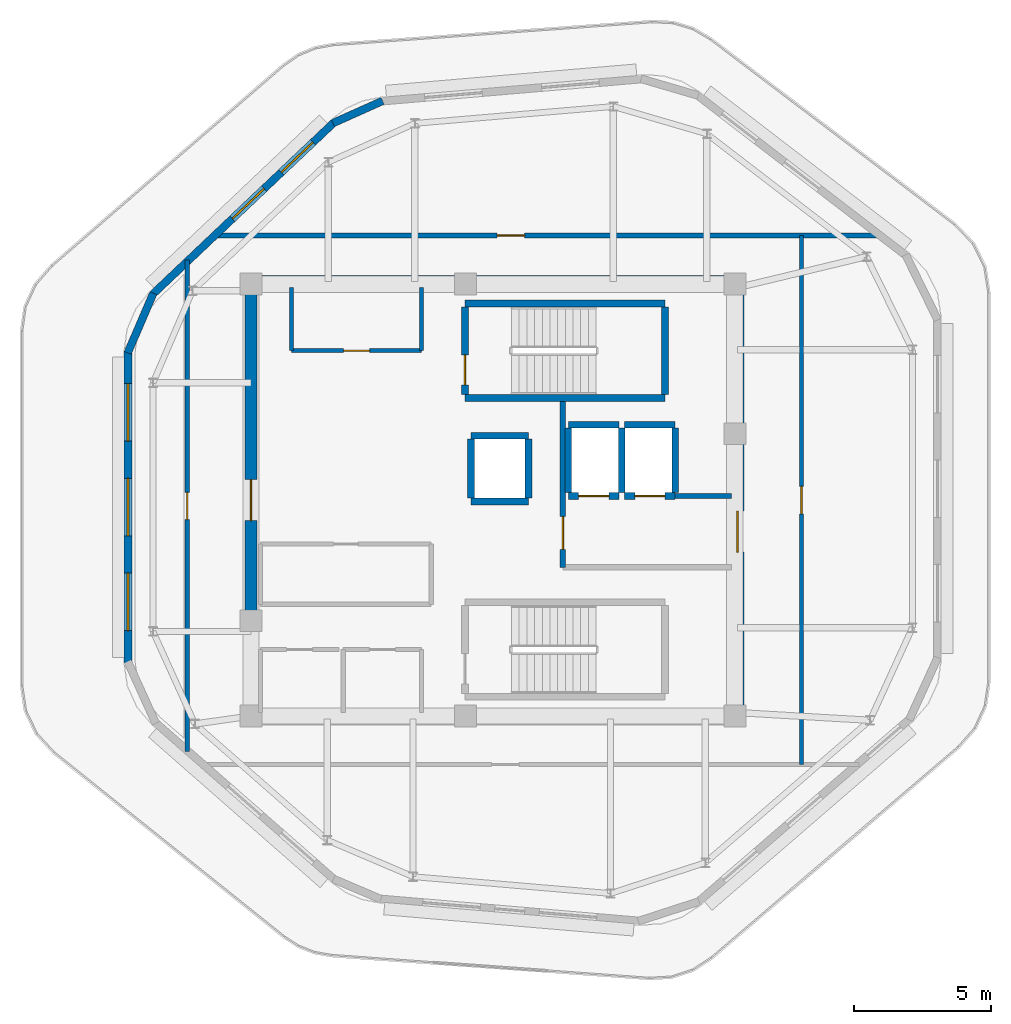
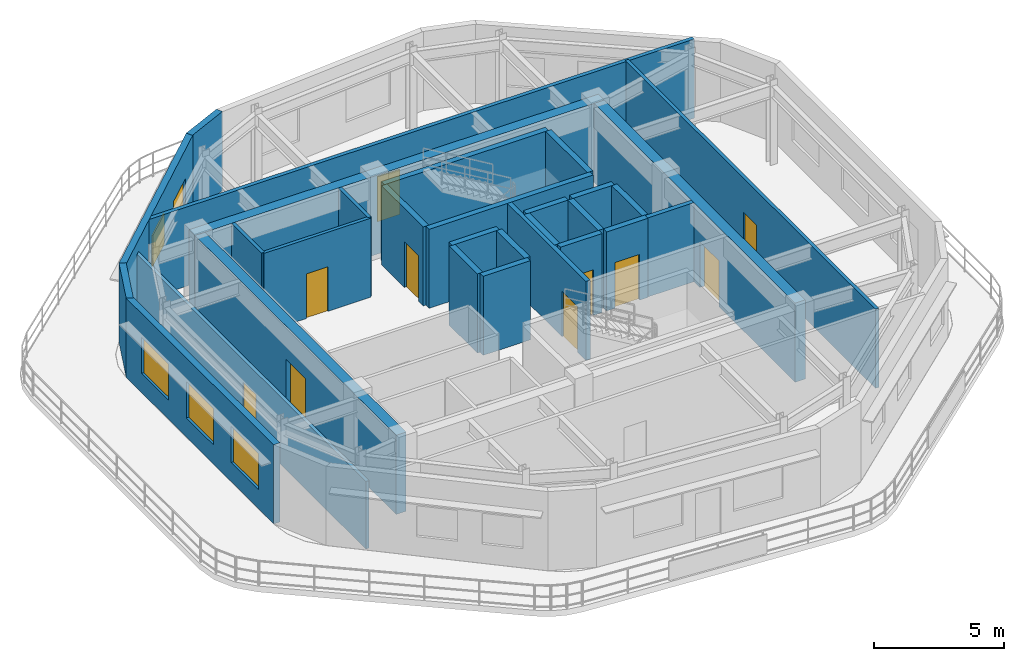
# One storey, part 3 of 7: 30 walls, 10 doors, 5 windows, 15 openings.
"""IFC4 building model written with IfcOpenShell, lengths in metres."""

import ifcopenshell
import ifcopenshell.guid

model = None  # the IFC model being written
_history = None  # IfcOwnerHistory: only IFC2X3 demands one
_inside = {}  # id of a spatial element -> (the spatial element, [elements in it])
_under = {}  # id of a project, library or spatial element -> (it, [spatial elements below it])
_declared = {}  # id of a project -> (the project, [libraries it declares])
_typed = {}  # id of a type object -> (the type object, [elements of that type])
_made_of = {}  # id of a material, layer set ... -> (it, [elements and type objects made of it])


def new_model(schema):
    """Start an empty IFC model of exactly this schema.

    Asked for "IFC4X3", IfcOpenShell would pick the latest addendum, in which some entities
    have other attributes; the version numbers below select the first issue.
    IFC2X3 requires an IfcOwnerHistory on every rooted entity: one is made here for all.
    """
    global model, _history
    if schema == "IFC4X3":
        model = ifcopenshell.file(schema_version=(4, 3, 0, 0))
    else:
        model = ifcopenshell.file(schema=schema)
    _inside.clear()
    _under.clear()
    _declared.clear()
    _typed.clear()
    _made_of.clear()
    _history = None
    if model.schema == "IFC2X3":
        org = make("IfcOrganization", Name="unknown")
        user = make(
            "IfcPersonAndOrganization",
            ThePerson=make("IfcPerson", FamilyName="unknown"),
            TheOrganization=org,
        )
        app = make(
            "IfcApplication",
            ApplicationDeveloper=org,
            Version="unknown",
            ApplicationFullName="unknown",
            ApplicationIdentifier="unknown",
        )
        _history = make(
            "IfcOwnerHistory",
            OwningUser=user,
            OwningApplication=app,
            ChangeAction="ADDED",
            CreationDate=0,
        )
    return model


def make(cls, **values):
    """One entity of the class cls with the attributes given. An attribute that is None is left unset."""
    return model.create_entity(
        cls, **{name: value for name, value in values.items() if value is not None}
    )


def rooted(cls, **values):
    """An entity with a GlobalId (a new one), such as an element, a storey or a relation."""
    return make(cls, GlobalId=ifcopenshell.guid.new(), OwnerHistory=_history, **values)


def si_unit(unit_type, name, prefix=None):
    """IfcSIUnit, for example si_unit("LENGTHUNIT", "METRE", prefix="MILLI")."""
    return make("IfcSIUnit", UnitType=unit_type, Prefix=prefix, Name=name)


def assignment(units):
    """IfcUnitAssignment: the units of a project."""
    return None if units is None else make("IfcUnitAssignment", Units=units)


def point(xyz):
    """IfcCartesianPoint."""
    return None if xyz is None else make("IfcCartesianPoint", Coordinates=xyz)


def direction(xyz):
    """IfcDirection."""
    return None if xyz is None else make("IfcDirection", DirectionRatios=xyz)


def frame(location, z_axis=None, x_axis=None):
    """IfcAxis2Placement3D, a coordinate frame: its origin and axes. An axis left out is left unset."""
    return make(
        "IfcAxis2Placement3D",
        Location=point(location),
        Axis=direction(z_axis),
        RefDirection=direction(x_axis),
    )


def frame_2d(location, x_axis=None):
    """IfcAxis2Placement2D, a coordinate frame in the plane: its origin and x axis."""
    return make(
        "IfcAxis2Placement2D", Location=point(location), RefDirection=direction(x_axis)
    )


def origin():
    """The frame at (0, 0, 0) with its axes left unset."""
    return frame((0.0, 0.0, 0.0))


def place(relative_to, where):
    """IfcLocalPlacement: puts the frame where relative to a parent placement (None: the world)."""
    return make(
        "IfcLocalPlacement", PlacementRelTo=relative_to, RelativePlacement=where
    )


def context(
    kind, dimensions, precision=None, world=None, true_north=None, identifier=None
):
    """IfcGeometricRepresentationContext, for example the 3D "Model" context."""
    return make(
        "IfcGeometricRepresentationContext",
        ContextIdentifier=identifier,
        ContextType=kind,
        CoordinateSpaceDimension=dimensions,
        Precision=precision,
        WorldCoordinateSystem=world,
        TrueNorth=true_north,
    )


def subcontext(parent, identifier, kind, view, scale=None):
    """IfcGeometricRepresentationSubContext, for example "Body" below "Model"."""
    return make(
        "IfcGeometricRepresentationSubContext",
        ContextIdentifier=identifier,
        ContextType=kind,
        ParentContext=parent,
        TargetScale=scale,
        TargetView=view,
    )


def project(units=None, contexts=None):
    """IfcProject with its units and contexts."""
    return rooted(
        "IfcProject",
        Name="project",
        RepresentationContexts=contexts,
        UnitsInContext=assignment(units),
    )


def spatial(cls, under=None, at=None, **own):
    """A site, building, storey or space (cls), placed at a placement, below another one or the project."""
    s = rooted(cls, ObjectPlacement=at, **own)
    if under is not None:
        _under.setdefault(under.id(), (under, []))[1].append(s)
    return s


def profile(cls, at=None, kind="AREA", **sizes):
    """A parametric profile (cls). Its sizes go by their IFC names, for example OverallWidth=200.0."""
    return make(cls, ProfileType=kind, Position=at, **sizes)


def rectangle(**sizes):
    """IfcRectangleProfileDef."""
    return profile("IfcRectangleProfileDef", **sizes)


def extrude(swept, where, along, depth):
    """IfcExtrudedAreaSolid: the profile swept, set in the frame where, extruded along a direction by depth."""
    return make(
        "IfcExtrudedAreaSolid",
        SweptArea=swept,
        Position=where,
        ExtrudedDirection=direction(along),
        Depth=depth,
    )


def shape(context_of_items, identifier, shape_type, items):
    """IfcShapeRepresentation: the items that make up one representation, for example the "Body"."""
    return make(
        "IfcShapeRepresentation",
        ContextOfItems=context_of_items,
        RepresentationIdentifier=identifier,
        RepresentationType=shape_type,
        Items=items,
    )


def material(Name=None, Category=None):
    """IfcMaterial."""
    return make("IfcMaterial", Name=Name, Category=Category)


def layer(
    of_material, thickness, ventilated=None, Name=None, Category=None, Priority=None
):
    """IfcMaterialLayer: one layer of a wall or slab, of a material (None: an air gap)."""
    return make(
        "IfcMaterialLayer",
        Material=of_material,
        LayerThickness=thickness,
        IsVentilated=ventilated,
        Name=Name,
        Category=Category,
        Priority=Priority,
    )


def layer_set(layers, Name=None):
    """IfcMaterialLayerSet."""
    return make("IfcMaterialLayerSet", MaterialLayers=layers, LayerSetName=Name)


def made_of(thing, what):
    """Note that an element or type object is made of a material, layer set ...; save() writes the relation."""
    if what is not None:
        _made_of.setdefault(what.id(), (what, []))[1].append(thing)
    return thing


def type_object(cls, material=None, **own):
    """A type object (cls), such as IfcWallType, which elements share."""
    return made_of(rooted(cls, **own), material)


def element(
    cls,
    number,
    at=None,
    inside=None,
    cuts=None,
    type_object=None,
    material=None,
    context=None,
    identifier="Body",
    shape_type=None,
    held_by="IfcProductDefinitionShape",
    body=None,
    shapes=None,
    **own,
):
    """One element of the class cls, such as IfcWall. Its Tag is "e" and its number.

    at: its placement. inside: the storey or other place that contains it. cuts: it is an
    opening in that element (IfcRelVoidsElement). A single representation is given by context,
    identifier, shape_type and body (its items); several are given by shapes. held_by: the class
    of the entity that holds the representations. save() writes the other relations.
    """
    e = rooted(cls, Tag="e%d" % number, ObjectPlacement=at, **own)
    if body is not None:
        shapes = [shape(context, identifier, shape_type, body)]
    if shapes is not None:
        e.Representation = make(held_by, Representations=shapes)
    if inside is not None:
        _inside.setdefault(inside.id(), (inside, []))[1].append(e)
    if cuts is not None:
        rooted(
            "IfcRelVoidsElement", RelatingBuildingElement=cuts, RelatedOpeningElement=e
        )
    if type_object is not None:
        _typed.setdefault(type_object.id(), (type_object, []))[1].append(e)
    return made_of(e, material)


def fill(opening, filler):
    """IfcRelFillsElement: the door or window that sits in an opening."""
    return rooted(
        "IfcRelFillsElement",
        RelatingOpeningElement=opening,
        RelatedBuildingElement=filler,
    )


def aggregate(whole, parts):
    """IfcRelAggregates: a whole, such as a stair, and the parts it consists of."""
    return rooted("IfcRelAggregates", RelatingObject=whole, RelatedObjects=parts)


def save(model, path):
    """Write the relations noted so far, then the file.

    IfcRelAggregates (storeys below a building ...), IfcRelContainedInSpatialStructure (elements
    in a storey), IfcRelDefinesByType, IfcRelAssociatesMaterial and IfcRelDeclares: one each for
    every whole, place, type object, material and project.
    """
    for whole, parts in _under.values():
        aggregate(whole, parts)
    for where, things in _inside.values():
        rooted(
            "IfcRelContainedInSpatialStructure",
            RelatedElements=things,
            RelatingStructure=where,
        )
    for kind, things in _typed.values():
        rooted("IfcRelDefinesByType", RelatedObjects=things, RelatingType=kind)
    for what, things in _made_of.values():
        rooted("IfcRelAssociatesMaterial", RelatedObjects=things, RelatingMaterial=what)
    for by, libraries in _declared.values():
        rooted("IfcRelDeclares", RelatingContext=by, RelatedDefinitions=libraries)
    model.write(path)


model = new_model("IFC4")

# Units and contexts
model_context = context("Model", 3, precision=1e-05, world=origin(), true_north=direction((0.0, 1.0)))
body_context = subcontext(model_context, "Body", "Model", "MODEL_VIEW")
ifc_project = project(units=[si_unit("LENGTHUNIT", "METRE"), si_unit("AREAUNIT", "SQUARE_METRE"), si_unit("VOLUMEUNIT", "CUBIC_METRE"), si_unit("PLANEANGLEUNIT", "RADIAN"), si_unit("MASSUNIT", "GRAM", prefix="KILO")], contexts=[model_context])

# Site, building, storey
site_placement = place(None, origin())
site = spatial("IfcSite", under=ifc_project, at=site_placement, CompositionType="ELEMENT")
building_placement = place(site_placement, origin())
building = spatial("IfcBuilding", under=site, at=building_placement, Name="Zulverin Broadcast Headquarters", CompositionType="ELEMENT")
storey_placement = place(building_placement, frame((0.0, 0.0, 329.39990234375)))
storey = spatial("IfcBuildingStorey", under=building, at=storey_placement, Name="C5", CompositionType="ELEMENT", Elevation=329.39990234375)

# Wall
ifc_material_1 = material(Name="Concrete C50/60", Category="concrete")
ifc_layer_1 = layer(ifc_material_1, 0.449951171875, Name="Concrete C50/60", Category="concrete")
ifc_layer_set_1 = layer_set([ifc_layer_1], Name="Concrete C50/60")
wall_type_1 = type_object("IfcWallType", Name="WL-CORE-450", PredefinedType="SHEAR", material=ifc_layer_set_1)
wall_1_placement = place(storey_placement, frame((30.39990234375, 33.175048828125, 0.0), z_axis=(0.0, 0.0, 1.0), x_axis=(1.0, 0.0, 0.0)))
element("IfcWall", 1, at=wall_1_placement, inside=storey, type_object=wall_type_1, Name="C5 Core North Shear Wall", PredefinedType="SHEAR", context=body_context, shape_type="SweptSolid", body=[
    extrude(rectangle(XDim=18.2001953125, YDim=0.449951171875, at=frame_2d((9.10009765625, 0.0))), origin(), (0.0, 0.0, 1.0), 3.72021484375),
])

# Wall, opening, door
wall_2_placement = place(storey_placement, frame((30.625, 17.449951171875, 0.0), z_axis=(0.0, 0.0, 1.0), x_axis=(0.0, 1.0, 0.0)))
wall_2 = element("IfcWall", 2, at=wall_2_placement, inside=storey, type_object=wall_type_1, Name="C5 Core West Shear Wall", PredefinedType="SHEAR", context=body_context, shape_type="SweptSolid", body=[
    extrude(rectangle(XDim=15.5, YDim=0.449951171875, at=frame_2d((7.75, 0.0))), origin(), (0.0, 0.0, 1.0), 3.72021484375),
])
opening_1_placement = place(wall_2_placement, frame((7.0, 0.0, 0.0)))
opening_1 = element("IfcOpeningElement", 3, at=opening_1_placement, cuts=wall_2, Name="Opening D-C5-CW1", PredefinedType="OPENING", context=body_context, shape_type="SweptSolid", body=[
    extrude(rectangle(XDim=1.5, YDim=2.14990234375, at=frame_2d((0.75, 1.074951171875))), frame((0.0, 0.23486328125, 0.0), z_axis=(0.0, -1.0, 0.0), x_axis=(1.0, 0.0, 0.0)), (0.0, 0.0, 1.0), 0.469970703125),
])
ifc_material_2 = material(Name="Fire-rated glazed steel frame", Category="steel")
door_type_1 = type_object("IfcDoorType", Name="DR-COR-1500", OperationType="DOUBLE_DOOR_SINGLE_SWING", PredefinedType="DOOR", material=ifc_material_2)
door_1_placement = place(opening_1_placement, origin())
door_1 = element("IfcDoor", 4, at=door_1_placement, inside=storey, type_object=door_type_1, Name="C5 Central Lift Lobby West Portal Door", OperationType="DOUBLE_DOOR_SINGLE_SWING", OverallHeight=2.14990234375, OverallWidth=1.5, PredefinedType="DOOR", context=body_context, shape_type="SweptSolid", body=[
    extrude(rectangle(XDim=1.5, YDim=2.14990234375, at=frame_2d((0.75, 1.074951171875))), frame((0.0, 0.02490234375, 0.0), z_axis=(0.0, -1.0, 0.0), x_axis=(1.0, 0.0, 0.0)), (0.0, 0.0, 1.0), 0.050048828125),
])
fill(opening_1, door_1)

wall_3_placement = place(storey_placement, frame((48.375, 17.449951171875, 0.0), z_axis=(0.0, 0.0, 1.0), x_axis=(0.0, 1.0, 0.0)))
wall_3 = element("IfcWall", 5, at=wall_3_placement, inside=storey, type_object=wall_type_1, Name="C5 Core East Shear Wall", PredefinedType="SHEAR", context=body_context, shape_type="SweptSolid", body=[
    extrude(rectangle(XDim=15.5, YDim=0.449951171875, at=frame_2d((7.75, 0.0))), origin(), (0.0, 0.0, 1.0), 3.72021484375),
])
opening_2_placement = place(wall_3_placement, frame((5.85009765625, 0.0, 0.0)))
opening_2 = element("IfcOpeningElement", 6, at=opening_2_placement, cuts=wall_3, Name="Opening D-C5-CE1", PredefinedType="OPENING", context=body_context, shape_type="SweptSolid", body=[
    extrude(rectangle(XDim=1.5, YDim=2.14990234375, at=frame_2d((0.75, 1.074951171875))), frame((0.0, 0.23486328125, 0.0), z_axis=(0.0, -1.0, 0.0), x_axis=(1.0, 0.0, 0.0)), (0.0, 0.0, 1.0), 0.469970703125),
])
door_2_placement = place(opening_2_placement, origin())
door_2 = element("IfcDoor", 7, at=door_2_placement, inside=storey, type_object=door_type_1, Name="C5 Firefighting Lobby East Corridor Door", OperationType="DOUBLE_DOOR_SINGLE_SWING", OverallHeight=2.14990234375, OverallWidth=1.5, PredefinedType="DOOR", context=body_context, shape_type="SweptSolid", body=[
    extrude(rectangle(XDim=1.5, YDim=2.14990234375, at=frame_2d((0.75, 1.074951171875))), frame((0.0, 0.02490234375, 0.0), z_axis=(0.0, -1.0, 0.0), x_axis=(1.0, 0.0, 0.0)), (0.0, 0.0, 1.0), 0.050048828125),
])
fill(opening_2, door_2)

# Wall, openings, windows
ifc_material_3 = material(Name="Insulated pale-metal clad concrete spandrel C40/50", Category="concrete")
ifc_layer_2 = layer(ifc_material_3, 0.280029296875, Name="Insulated pale-metal clad concrete spandrel C40/50", Category="concrete")
ifc_layer_set_2 = layer_set([ifc_layer_2], Name="Insulated pale-metal clad concrete spandrel C40/50")
wall_type_2 = type_object("IfcWallType", Name="WL-EXT-280", PredefinedType="STANDARD", material=ifc_layer_set_2)
wall_4_placement = place(storey_placement, frame((33.654052734375, 38.97607421875, 0.0), z_axis=(0.0, 0.0, 1.0), x_axis=(-0.72588023988, -0.687821108539, 0.0)))
wall_4 = element("IfcWall", 8, at=wall_4_placement, inside=storey, type_object=wall_type_2, Name="C5 Pale-Metal Clad Spandrel Wall 6", PredefinedType="STANDARD", context=body_context, shape_type="SweptSolid", body=[
    extrude(rectangle(XDim=9.121826171875, YDim=0.280029296875, at=frame_2d((4.56103515625, 0.0))), origin(), (0.0, 0.0, 1.0), 3.72021484375),
])
opening_3_placement = place(wall_4_placement, frame((1.0537109375, 0.0, 0.89990234375)))
opening_3 = element("IfcOpeningElement", 9, at=opening_3_placement, cuts=wall_4, Name="Opening W-C5-E61", PredefinedType="OPENING", context=body_context, shape_type="SweptSolid", body=[
    extrude(rectangle(XDim=1.60009765625, YDim=1.449951171875, at=frame_2d((0.800048828125, 0.72509765625))), frame((0.0, 0.14990234375, 0.0), z_axis=(0.0, -1.0, 0.0), x_axis=(1.0, 0.0, 0.0)), (0.0, 0.0, 1.0), 0.300048828125),
])
opening_4_placement = place(wall_4_placement, frame((3.510986328125, 0.0, 0.89990234375)))
opening_4 = element("IfcOpeningElement", 10, at=opening_4_placement, cuts=wall_4, Name="Opening W-C5-E62", PredefinedType="OPENING", context=body_context, shape_type="SweptSolid", body=[
    extrude(rectangle(XDim=1.60009765625, YDim=1.449951171875, at=frame_2d((0.800048828125, 0.72509765625))), frame((0.0, 0.14990234375, 0.0), z_axis=(0.0, -1.0, 0.0), x_axis=(1.0, 0.0, 0.0)), (0.0, 0.0, 1.0), 0.300048828125),
])
ifc_material_4 = material(Name="Pale anodized aluminium frame with solar-control low-E double glazing", Category="aluminium")
window_type_1 = type_object("IfcWindowType", Name="WIN-CRN-1600", PartitioningType="SINGLE_PANEL", PredefinedType="WINDOW", material=ifc_material_4)
window_1_placement = place(opening_3_placement, origin())
window_1 = element("IfcWindow", 11, at=window_1_placement, inside=storey, type_object=window_type_1, Name="C5 Ribbon Glazing Window 6 1", OverallHeight=1.449951171875, OverallWidth=1.60009765625, PartitioningType="SINGLE_PANEL", PredefinedType="WINDOW", context=body_context, shape_type="SweptSolid", body=[
    extrude(rectangle(XDim=1.60009765625, YDim=1.449951171875, at=frame_2d((0.800048828125, 0.72509765625))), frame((0.0, 0.030029296875, 0.0), z_axis=(0.0, -1.0, 0.0), x_axis=(1.0, 0.0, 0.0)), (0.0, 0.0, 1.0), 0.06005859375),
])
fill(opening_3, window_1)
window_2_placement = place(opening_4_placement, origin())
window_2 = element("IfcWindow", 12, at=window_2_placement, inside=storey, type_object=window_type_1, Name="C5 Ribbon Glazing Window 6 2", OverallHeight=1.449951171875, OverallWidth=1.60009765625, PartitioningType="SINGLE_PANEL", PredefinedType="WINDOW", context=body_context, shape_type="SweptSolid", body=[
    extrude(rectangle(XDim=1.60009765625, YDim=1.449951171875, at=frame_2d((0.800048828125, 0.72509765625))), frame((0.0, 0.030029296875, 0.0), z_axis=(0.0, -1.0, 0.0), x_axis=(1.0, 0.0, 0.0)), (0.0, 0.0, 1.0), 0.06005859375),
])
fill(opening_4, window_2)

wall_5_placement = place(storey_placement, frame((26.139892578125, 30.625732421875, 0.0), z_axis=(0.0, 0.0, 1.0), x_axis=(0.0, -1.0, 0.0)))
wall_5 = element("IfcWall", 13, at=wall_5_placement, inside=storey, type_object=wall_type_2, Name="C5 Pale-Metal Clad Spandrel Wall 7", PredefinedType="STANDARD", context=body_context, shape_type="SweptSolid", body=[
    extrude(rectangle(XDim=11.366943359375, YDim=0.280029296875, at=frame_2d((5.68359375, 0.0))), origin(), (0.0, 0.0, 1.0), 3.72021484375),
])
opening_5_placement = place(wall_5_placement, frame((1.177734375, 0.0, 0.89990234375)))
opening_5 = element("IfcOpeningElement", 14, at=opening_5_placement, cuts=wall_5, Name="Opening W-C5-E71", PredefinedType="OPENING", context=body_context, shape_type="SweptSolid", body=[
    extrude(rectangle(XDim=2.10009765625, YDim=1.699951171875, at=frame_2d((1.050048828125, 0.85009765625))), frame((0.0, 0.14990234375, 0.0), z_axis=(0.0, -1.0, 0.0), x_axis=(1.0, 0.0, 0.0)), (0.0, 0.0, 1.0), 0.300048828125),
])
opening_6_placement = place(wall_5_placement, frame((4.633544921875, 0.0, 0.89990234375)))
opening_6 = element("IfcOpeningElement", 15, at=opening_6_placement, cuts=wall_5, Name="Opening W-C5-E72", PredefinedType="OPENING", context=body_context, shape_type="SweptSolid", body=[
    extrude(rectangle(XDim=2.10009765625, YDim=1.699951171875, at=frame_2d((1.050048828125, 0.85009765625))), frame((0.0, 0.14990234375, 0.0), z_axis=(0.0, -1.0, 0.0), x_axis=(1.0, 0.0, 0.0)), (0.0, 0.0, 1.0), 0.300048828125),
])
opening_7_placement = place(wall_5_placement, frame((8.089111328125, 0.0, 0.89990234375)))
opening_7 = element("IfcOpeningElement", 16, at=opening_7_placement, cuts=wall_5, Name="Opening W-C5-E73", PredefinedType="OPENING", context=body_context, shape_type="SweptSolid", body=[
    extrude(rectangle(XDim=2.10009765625, YDim=1.699951171875, at=frame_2d((1.050048828125, 0.85009765625))), frame((0.0, 0.14990234375, 0.0), z_axis=(0.0, -1.0, 0.0), x_axis=(1.0, 0.0, 0.0)), (0.0, 0.0, 1.0), 0.300048828125),
])
window_type_2 = type_object("IfcWindowType", Name="WIN-CRN-2100", PartitioningType="SINGLE_PANEL", PredefinedType="WINDOW", material=ifc_material_4)
window_3_placement = place(opening_5_placement, origin())
window_3 = element("IfcWindow", 17, at=window_3_placement, inside=storey, type_object=window_type_2, Name="C5 Ribbon Glazing Window 7 1", OverallHeight=1.699951171875, OverallWidth=2.10009765625, PartitioningType="SINGLE_PANEL", PredefinedType="WINDOW", context=body_context, shape_type="SweptSolid", body=[
    extrude(rectangle(XDim=2.10009765625, YDim=1.699951171875, at=frame_2d((1.050048828125, 0.85009765625))), frame((0.0, 0.030029296875, 0.0), z_axis=(0.0, -1.0, 0.0), x_axis=(1.0, 0.0, 0.0)), (0.0, 0.0, 1.0), 0.06005859375),
])
fill(opening_5, window_3)
window_4_placement = place(opening_6_placement, origin())
window_4 = element("IfcWindow", 18, at=window_4_placement, inside=storey, type_object=window_type_2, Name="C5 Ribbon Glazing Window 7 2", OverallHeight=1.699951171875, OverallWidth=2.10009765625, PartitioningType="SINGLE_PANEL", PredefinedType="WINDOW", context=body_context, shape_type="SweptSolid", body=[
    extrude(rectangle(XDim=2.10009765625, YDim=1.699951171875, at=frame_2d((1.050048828125, 0.85009765625))), frame((0.0, 0.030029296875, 0.0), z_axis=(0.0, -1.0, 0.0), x_axis=(1.0, 0.0, 0.0)), (0.0, 0.0, 1.0), 0.06005859375),
])
fill(opening_6, window_4)
window_5_placement = place(opening_7_placement, origin())
window_5 = element("IfcWindow", 19, at=window_5_placement, inside=storey, type_object=window_type_2, Name="C5 Ribbon Glazing Window 7 3", OverallHeight=1.699951171875, OverallWidth=2.10009765625, PartitioningType="SINGLE_PANEL", PredefinedType="WINDOW", context=body_context, shape_type="SweptSolid", body=[
    extrude(rectangle(XDim=2.10009765625, YDim=1.699951171875, at=frame_2d((1.050048828125, 0.85009765625))), frame((0.0, 0.030029296875, 0.0), z_axis=(0.0, -1.0, 0.0), x_axis=(1.0, 0.0, 0.0)), (0.0, 0.0, 1.0), 0.06005859375),
])
fill(opening_7, window_5)

# Walls
wall_6_placement = place(storey_placement, frame((35.423828125, 39.761474609375, 0.0), z_axis=(0.0, 0.0, 1.0), x_axis=(-0.912384063645, -0.409335217648, 0.0)))
element("IfcWall", 20, at=wall_6_placement, inside=storey, type_object=wall_type_2, Name="C5 Wind-Shaped Corner Spandrel Wall 5-1", PredefinedType="STANDARD", context=body_context, shape_type="SweptSolid", body=[
    extrude(rectangle(XDim=1.982421875, YDim=0.280029296875, at=frame_2d((0.9912109375, 0.0))), origin(), (0.0, 0.0, 1.0), 3.72021484375),
])
wall_7_placement = place(storey_placement, frame((27.065185546875, 32.748046875, 0.0), z_axis=(0.0, 0.0, 1.0), x_axis=(-0.39509989751, -0.918638161077, 0.0)))
element("IfcWall", 21, at=wall_7_placement, inside=storey, type_object=wall_type_2, Name="C5 Wind-Shaped Corner Spandrel Wall 6-1", PredefinedType="STANDARD", context=body_context, shape_type="SweptSolid", body=[
    extrude(rectangle(XDim=2.370361328125, YDim=0.280029296875, at=frame_2d((1.18505859375, 0.0))), origin(), (0.0, 0.0, 1.0), 3.72021484375),
])

# Wall, opening, door
ifc_material_5 = material(Name="Concrete C40/50", Category="concrete")
ifc_layer_3 = layer(ifc_material_5, 0.199951171875, Name="Concrete C40/50", Category="concrete")
ifc_layer_set_3 = layer_set([ifc_layer_3], Name="Concrete C40/50")
wall_type_3 = type_object("IfcWallType", Name="WL-FFL-200", PredefinedType="SOLIDWALL", material=ifc_layer_set_3)
wall_8_placement = place(storey_placement, frame((42.0, 22.75, 0.0), z_axis=(0.0, 0.0, 1.0), x_axis=(0.0, 1.0, 0.0)))
wall_8 = element("IfcWall", 22, at=wall_8_placement, inside=storey, type_object=wall_type_3, Name="C5 Firefighting Lift Lobby West Wall", PredefinedType="SOLIDWALL", context=body_context, shape_type="SweptSolid", body=[
    extrude(rectangle(XDim=6.050048828125, YDim=0.199951171875, at=frame_2d((3.02490234375, 0.0))), origin(), (0.0, 0.0, 1.0), 3.72021484375),
])
opening_8_placement = place(wall_8_placement, frame((0.64990234375, 0.0, 0.0)))
opening_8 = element("IfcOpeningElement", 23, at=opening_8_placement, cuts=wall_8, Name="Opening D-C5-FFLW", PredefinedType="OPENING", context=body_context, shape_type="SweptSolid", body=[
    extrude(rectangle(XDim=1.199951171875, YDim=2.14990234375, at=frame_2d((0.60009765625, 1.074951171875))), frame((0.0, 0.10986328125, 0.0), z_axis=(0.0, -1.0, 0.0), x_axis=(1.0, 0.0, 0.0)), (0.0, 0.0, 1.0), 0.219970703125),
])
ifc_material_6 = material(Name="Fire-rated steel leaf and frame", Category="steel")
door_type_2 = type_object("IfcDoorType", Name="DR-FFL-1200", OperationType="SINGLE_SWING_RIGHT", PredefinedType="DOOR", material=ifc_material_6)
door_3_placement = place(opening_8_placement, origin())
door_3 = element("IfcDoor", 24, at=door_3_placement, inside=storey, type_object=door_type_2, Name="C5 Firefighting Lift Lobby Door", OperationType="SINGLE_SWING_LEFT", OverallHeight=2.14990234375, OverallWidth=1.199951171875, PredefinedType="DOOR", context=body_context, shape_type="SweptSolid", body=[
    extrude(rectangle(XDim=1.199951171875, YDim=2.14990234375, at=frame_2d((0.60009765625, 1.074951171875))), frame((0.0, 0.02490234375, 0.0), z_axis=(0.0, -1.0, 0.0), x_axis=(1.0, 0.0, 0.0)), (0.0, 0.0, 1.0), 0.050048828125),
])
fill(opening_8, door_3)

# Wall
wall_9_placement = place(storey_placement, frame((46.10009765625, 25.35009765625, 0.0), z_axis=(0.0, 0.0, 1.0), x_axis=(1.0, 0.0, 0.0)))
element("IfcWall", 25, at=wall_9_placement, inside=storey, type_object=wall_type_3, Name="C5 Firefighting Lift Lobby North Wall", PredefinedType="SOLIDWALL", context=body_context, shape_type="SweptSolid", body=[
    extrude(rectangle(XDim=2.0498046875, YDim=0.199951171875, at=frame_2d((1.02490234375, 0.0))), origin(), (0.0, 0.0, 1.0), 3.72021484375),
])

# Wall, opening, door
ifc_material_7 = material(Name="Fire-rated gypsum stud partition", Category="gypsum")
ifc_layer_4 = layer(ifc_material_7, 0.14990234375, Name="Fire-rated gypsum stud partition", Category="gypsum")
ifc_layer_set_4 = layer_set([ifc_layer_4], Name="Fire-rated gypsum stud partition")
wall_type_4 = type_object("IfcWallType", Name="WL-PART-150", PredefinedType="PARTITIONING", material=ifc_layer_set_4)
wall_10_placement = place(storey_placement, frame((32.10009765625, 30.64990234375, 0.0), z_axis=(0.0, 0.0, 1.0), x_axis=(1.0, 0.0, 0.0)))
wall_10 = element("IfcWall", 26, at=wall_10_placement, inside=storey, type_object=wall_type_4, Name="C5 Core Accessible WC & Electrical Riser Front Wall", PredefinedType="PARTITIONING", context=body_context, shape_type="SweptSolid", body=[
    extrude(rectangle(XDim=4.75, YDim=0.14990234375, at=frame_2d((2.375, 0.0))), origin(), (0.0, 0.0, 1.0), 3.72021484375),
])
opening_9_placement = place(wall_10_placement, frame((1.89990234375, 0.0, 0.0)))
opening_9 = element("IfcOpeningElement", 27, at=opening_9_placement, cuts=wall_10, Name="Opening D-C5-NC1", PredefinedType="OPENING", context=body_context, shape_type="SweptSolid", body=[
    extrude(rectangle(XDim=0.949951171875, YDim=2.10009765625, at=frame_2d((0.47509765625, 1.050048828125))), frame((0.0, 0.0849609375, 0.0), z_axis=(0.0, -1.0, 0.0), x_axis=(1.0, 0.0, 0.0)), (0.0, 0.0, 1.0), 0.169921875),
])
ifc_material_8 = material(Name="Fire-rated moisture-resistant laminate leaf", Category="wood")
door_type_3 = type_object("IfcDoorType", Name="DR-WC-950", OperationType="SINGLE_SWING_LEFT", PredefinedType="DOOR", material=ifc_material_8)
door_4_placement = place(opening_9_placement, origin())
door_4 = element("IfcDoor", 28, at=door_4_placement, inside=storey, type_object=door_type_3, Name="C5 Accessible WC & Electrical Riser Door", OperationType="SINGLE_SWING_RIGHT", OverallHeight=2.10009765625, OverallWidth=0.949951171875, PredefinedType="DOOR", context=body_context, shape_type="SweptSolid", body=[
    extrude(rectangle(XDim=0.949951171875, YDim=2.10009765625, at=frame_2d((0.47509765625, 1.050048828125))), frame((0.0, 0.02490234375, 0.0), z_axis=(0.0, -1.0, 0.0), x_axis=(1.0, 0.0, 0.0)), (0.0, 0.0, 1.0), 0.050048828125),
])
fill(opening_9, door_4)

# Walls
for number, where, z_axis, x_axis, name in (
    (29, (32.10009765625, 30.64990234375, 0.0), (0.0, 0.0, 1.0), (0.0, 1.0, 0.0), "C5 Core Accessible WC & Electrical Riser West Wall"),
    (30, (36.85009765625, 30.64990234375, 0.0), (0.0, 0.0, 1.0), (0.0, 1.0, 0.0), "C5 Core Accessible WC & Electrical Riser East Wall"),
):
    element("IfcWall", number, at=place(storey_placement, frame(where, z_axis=z_axis, x_axis=x_axis)), inside=storey, type_object=wall_type_4, Name=name, PredefinedType="PARTITIONING", context=body_context, shape_type="SweptSolid", body=[
        extrude(rectangle(XDim=2.300048828125, YDim=0.14990234375, at=frame_2d((1.14990234375, 0.0))), origin(), (0.0, 0.0, 1.0), 3.72021484375),
    ])

# Wall, opening, door
wall_11_placement = place(storey_placement, frame((50.699951171875, 15.550048828125, 0.0), z_axis=(0.0, 0.0, 1.0), x_axis=(0.0, 1.0, 0.0)))
wall_11 = element("IfcWall", 31, at=wall_11_placement, inside=storey, type_object=wall_type_4, Name="C5 Gallery Partition Wall CG-01", PredefinedType="PARTITIONING", context=body_context, shape_type="SweptSolid", body=[
    extrude(rectangle(XDim=19.300048828125, YDim=0.14990234375, at=frame_2d((9.64990234375, 0.0))), origin(), (0.0, 0.0, 1.0), 3.72021484375),
])
opening_10_placement = place(wall_11_placement, frame((9.14990234375, 0.0, 0.0)))
opening_10 = element("IfcOpeningElement", 32, at=opening_10_placement, cuts=wall_11, Name="Opening D-C5-CR2", PredefinedType="OPENING", context=body_context, shape_type="SweptSolid", body=[
    extrude(rectangle(XDim=1.0, YDim=2.1201171875, at=frame_2d((0.5, 1.06005859375))), frame((0.0, 0.0849609375, 0.0), z_axis=(0.0, -1.0, 0.0), x_axis=(1.0, 0.0, 0.0)), (0.0, 0.0, 1.0), 0.169921875),
])
ifc_material_9 = material(Name="Hardwood veneer acoustic leaf", Category="wood")
door_type_4 = type_object("IfcDoorType", Name="DR-OFF-1000", OperationType="SINGLE_SWING_LEFT", PredefinedType="DOOR", material=ifc_material_9)
door_5_placement = place(opening_10_placement, origin())
door_5 = element("IfcDoor", 33, at=door_5_placement, inside=storey, type_object=door_type_4, Name="C5 Broadcast Transmitter Plant Room Door", OperationType="SINGLE_SWING_LEFT", OverallHeight=2.1201171875, OverallWidth=1.0, PredefinedType="DOOR", context=body_context, shape_type="SweptSolid", body=[
    extrude(rectangle(XDim=1.0, YDim=2.1201171875, at=frame_2d((0.5, 1.06005859375))), frame((0.0, 0.02490234375, 0.0), z_axis=(0.0, -1.0, 0.0), x_axis=(1.0, 0.0, 0.0)), (0.0, 0.0, 1.0), 0.050048828125),
])
fill(opening_10, door_5)

wall_12_placement = place(storey_placement, frame((28.300048828125, 16.02197265625, 0.0), z_axis=(0.0, 0.0, 1.0), x_axis=(0.0, 1.0, 0.0)))
wall_12 = element("IfcWall", 34, at=wall_12_placement, inside=storey, type_object=wall_type_4, Name="C5 Gallery Partition Wall CG-02", PredefinedType="PARTITIONING", context=body_context, shape_type="SweptSolid", body=[
    extrude(rectangle(XDim=17.933349609375, YDim=0.14990234375, at=frame_2d((8.966796875, 0.0))), origin(), (0.0, 0.0, 1.0), 3.175537109375),
])
opening_11_placement = place(wall_12_placement, frame((8.4638671875, 0.0, 0.0)))
opening_11 = element("IfcOpeningElement", 35, at=opening_11_placement, cuts=wall_12, Name="Opening D-C5-CR1", PredefinedType="OPENING", context=body_context, shape_type="SweptSolid", body=[
    extrude(rectangle(XDim=1.0, YDim=2.1201171875, at=frame_2d((0.5, 1.06005859375))), frame((0.0, 0.0849609375, 0.0), z_axis=(0.0, -1.0, 0.0), x_axis=(1.0, 0.0, 0.0)), (0.0, 0.0, 1.0), 0.169921875),
])
door_6_placement = place(opening_11_placement, origin())
door_6 = element("IfcDoor", 36, at=door_6_placement, inside=storey, type_object=door_type_4, Name="C5 Crown Terrace Access Lounge Door", OperationType="SINGLE_SWING_RIGHT", OverallHeight=2.1201171875, OverallWidth=1.0, PredefinedType="DOOR", context=body_context, shape_type="SweptSolid", body=[
    extrude(rectangle(XDim=1.0, YDim=2.1201171875, at=frame_2d((0.5, 1.06005859375))), frame((0.0, 0.02490234375, 0.0), z_axis=(0.0, -1.0, 0.0), x_axis=(1.0, 0.0, 0.0)), (0.0, 0.0, 1.0), 0.050048828125),
])
fill(opening_11, door_6)

ifc_material_10 = material(Name="Fire-rated acoustic stud wall", Category="gypsum")
ifc_layer_5 = layer(ifc_material_10, 0.175048828125, Name="Fire-rated acoustic stud wall", Category="gypsum")
ifc_layer_set_5 = layer_set([ifc_layer_5], Name="Fire-rated acoustic stud wall")
wall_type_5 = type_object("IfcWallType", Name="WL-PART-175", PredefinedType="PARTITIONING", material=ifc_layer_set_5)
wall_13_placement = place(storey_placement, frame((29.236328125, 34.85009765625, 0.0), z_axis=(0.0, 0.0, 1.0), x_axis=(1.0, 0.0, 0.0)))
wall_13 = element("IfcWall", 37, at=wall_13_placement, inside=storey, type_object=wall_type_5, Name="C5 Gallery Partition Wall CG-04", PredefinedType="PARTITIONING", context=body_context, shape_type="SweptSolid", body=[
    extrude(rectangle(XDim=24.42236328125, YDim=0.175048828125, at=frame_2d((12.211181640625, 0.0))), origin(), (0.0, 0.0, 1.0), 3.72021484375),
])
opening_12_placement = place(wall_13_placement, frame((10.365478515625, 0.0, 0.0)))
opening_12 = element("IfcOpeningElement", 38, at=opening_12_placement, cuts=wall_13, Name="Opening D-C5-CR3", PredefinedType="OPENING", context=body_context, shape_type="SweptSolid", body=[
    extrude(rectangle(XDim=1.0, YDim=2.1201171875, at=frame_2d((0.5, 1.06005859375))), frame((0.0, 0.097412109375, 0.0), z_axis=(0.0, -1.0, 0.0), x_axis=(1.0, 0.0, 0.0)), (0.0, 0.0, 1.0), 0.195068359375),
])
door_7_placement = place(opening_12_placement, origin())
door_7 = element("IfcDoor", 39, at=door_7_placement, inside=storey, type_object=door_type_4, Name="C5 Crown Cooling & Chiller Plant Room Door", OperationType="SINGLE_SWING_RIGHT", OverallHeight=2.1201171875, OverallWidth=1.0, PredefinedType="DOOR", context=body_context, shape_type="SweptSolid", body=[
    extrude(rectangle(XDim=1.0, YDim=2.1201171875, at=frame_2d((0.5, 1.06005859375))), frame((0.0, 0.02490234375, 0.0), z_axis=(0.0, -1.0, 0.0), x_axis=(1.0, 0.0, 0.0)), (0.0, 0.0, 1.0), 0.050048828125),
])
fill(opening_12, door_7)

# Walls
ifc_layer_6 = layer(ifc_material_1, 0.25, Name="Concrete C50/60", Category="concrete")
ifc_layer_set_6 = layer_set([ifc_layer_6], Name="Concrete C50/60")
wall_type_6 = type_object("IfcWallType", Name="WL-SHAFT-250", PredefinedType="SHEAR", material=ifc_layer_set_6)
for number, where, z_axis, x_axis, name in (
    (40, (38.425048828125, 28.925048828125, 0.0), (0.0, 0.0, 1.0), (1.0, 0.0, 0.0), "C5 ST-1 Enclosure Wall S"),
    (41, (38.425048828125, 32.375, 0.0), (0.0, 0.0, 1.0), (1.0, 0.0, 0.0), "C5 ST-1 Enclosure Wall N"),
):
    element("IfcWall", number, at=place(storey_placement, frame(where, z_axis=z_axis, x_axis=x_axis)), inside=storey, type_object=wall_type_6, Name=name, PredefinedType="SHEAR", context=body_context, shape_type="SweptSolid", body=[
        extrude(rectangle(XDim=7.300048828125, YDim=0.25, at=frame_2d((3.64990234375, 0.0))), origin(), (0.0, 0.0, 1.0), 3.72021484375),
    ])

# Wall, opening, door
wall_14_placement = place(storey_placement, frame((38.425048828125, 29.050048828125, 0.0), z_axis=(0.0, 0.0, 1.0), x_axis=(0.0, 1.0, 0.0)))
wall_14 = element("IfcWall", 42, at=wall_14_placement, inside=storey, type_object=wall_type_6, Name="C5 ST-1 Enclosure Wall W", PredefinedType="SHEAR", context=body_context, shape_type="SweptSolid", body=[
    extrude(rectangle(XDim=3.199951171875, YDim=0.25, at=frame_2d((1.60009765625, 0.0))), origin(), (0.0, 0.0, 1.0), 3.72021484375),
])
opening_13_placement = place(wall_14_placement, frame((0.35009765625, 0.0, 0.0)))
opening_13 = element("IfcOpeningElement", 43, at=opening_13_placement, cuts=wall_14, Name="Opening D-C5-ST-1", PredefinedType="OPENING", context=body_context, shape_type="SweptSolid", body=[
    extrude(rectangle(XDim=1.10009765625, YDim=2.14990234375, at=frame_2d((0.550048828125, 1.074951171875))), frame((0.0, 0.135009765625, 0.0), z_axis=(0.0, -1.0, 0.0), x_axis=(1.0, 0.0, 0.0)), (0.0, 0.0, 1.0), 0.27001953125),
])
door_type_5 = type_object("IfcDoorType", Name="DR-STAIR-1100", OperationType="SINGLE_SWING_LEFT", PredefinedType="DOOR", material=ifc_material_6)
door_8_placement = place(opening_13_placement, origin())
door_8 = element("IfcDoor", 44, at=door_8_placement, inside=storey, type_object=door_type_5, Name="C5 Exit Stair ST-1 Fire Door", OperationType="SINGLE_SWING_LEFT", OverallHeight=2.14990234375, OverallWidth=1.10009765625, PredefinedType="DOOR", context=body_context, shape_type="SweptSolid", body=[
    extrude(rectangle(XDim=1.10009765625, YDim=2.14990234375, at=frame_2d((0.550048828125, 1.074951171875))), frame((0.0, 0.02490234375, 0.0), z_axis=(0.0, -1.0, 0.0), x_axis=(1.0, 0.0, 0.0)), (0.0, 0.0, 1.0), 0.050048828125),
])
fill(opening_13, door_8)

# Wall
wall_15_placement = place(storey_placement, frame((45.72509765625, 29.050048828125, 0.0), z_axis=(0.0, 0.0, 1.0), x_axis=(0.0, 1.0, 0.0)))
element("IfcWall", 45, at=wall_15_placement, inside=storey, type_object=wall_type_6, Name="C5 ST-1 Enclosure Wall E", PredefinedType="SHEAR", context=body_context, shape_type="SweptSolid", body=[
    extrude(rectangle(XDim=3.199951171875, YDim=0.25, at=frame_2d((1.60009765625, 0.0))), origin(), (0.0, 0.0, 1.0), 3.72021484375),
])

# Wall, opening, door
wall_16_placement = place(storey_placement, frame((42.199951171875, 25.35009765625, 0.0), z_axis=(0.0, 0.0, 1.0), x_axis=(1.0, 0.0, 0.0)))
wall_16 = element("IfcWall", 46, at=wall_16_placement, inside=storey, type_object=wall_type_6, Name="C5 Lift FFL-1 Shaft Wall S", PredefinedType="SHEAR", context=body_context, shape_type="SweptSolid", body=[
    extrude(rectangle(XDim=1.85009765625, YDim=0.25, at=frame_2d((0.925048828125, 0.0))), origin(), (0.0, 0.0, 1.0), 3.72021484375),
])
opening_14_placement = place(wall_16_placement, frame((0.375, 0.0, 0.0)))
opening_14 = element("IfcOpeningElement", 47, at=opening_14_placement, cuts=wall_16, Name="Opening LD-FFL-1-C5", PredefinedType="OPENING", context=body_context, shape_type="SweptSolid", body=[
    extrude(rectangle(XDim=1.10009765625, YDim=2.14990234375, at=frame_2d((0.550048828125, 1.074951171875))), frame((0.0, 0.135009765625, 0.0), z_axis=(0.0, -1.0, 0.0), x_axis=(1.0, 0.0, 0.0)), (0.0, 0.0, 1.0), 0.27001953125),
])
ifc_material_11 = material(Name="Fire-rated stainless landing door", Category="steel")
door_type_6 = type_object("IfcDoorType", Name="LD-FFL-1100", OperationType="DOUBLE_DOOR_SLIDING", PredefinedType="DOOR", material=ifc_material_11)
door_9_placement = place(opening_14_placement, origin())
door_9 = element("IfcDoor", 48, at=door_9_placement, inside=storey, type_object=door_type_6, Name="C5 Lift FFL-1 Sliding Landing Door", OperationType="DOUBLE_DOOR_SLIDING", OverallHeight=2.14990234375, OverallWidth=1.10009765625, PredefinedType="DOOR", context=body_context, shape_type="SweptSolid", body=[
    extrude(rectangle(XDim=1.10009765625, YDim=2.14990234375, at=frame_2d((0.550048828125, 1.074951171875))), frame((0.0, 0.02490234375, 0.0), z_axis=(0.0, -1.0, 0.0), x_axis=(1.0, 0.0, 0.0)), (0.0, 0.0, 1.0), 0.050048828125),
])
fill(opening_14, door_9)

# Walls
wall_17_placement = place(storey_placement, frame((42.199951171875, 27.949951171875, 0.0), z_axis=(0.0, 0.0, 1.0), x_axis=(1.0, 0.0, 0.0)))
element("IfcWall", 49, at=wall_17_placement, inside=storey, type_object=wall_type_6, Name="C5 Lift FFL-1 Shaft Wall N", PredefinedType="SHEAR", context=body_context, shape_type="SweptSolid", body=[
    extrude(rectangle(XDim=1.85009765625, YDim=0.25, at=frame_2d((0.925048828125, 0.0))), origin(), (0.0, 0.0, 1.0), 3.72021484375),
])
for number, where, z_axis, x_axis, name in (
    (50, (42.199951171875, 25.469970703125, 0.0), (0.0, 0.0, 1.0), (0.0, 1.0, 0.0), "C5 Lift FFL-1 Shaft Wall W"),
    (51, (44.14990234375, 25.469970703125, 0.0), (0.0, 0.0, 1.0), (0.0, 1.0, 0.0), "C5 Lift FFL-1 Shaft Wall E"),
):
    element("IfcWall", number, at=place(storey_placement, frame(where, z_axis=z_axis, x_axis=x_axis)), inside=storey, type_object=wall_type_6, Name=name, PredefinedType="SHEAR", context=body_context, shape_type="SweptSolid", body=[
        extrude(rectangle(XDim=2.360107421875, YDim=0.25, at=frame_2d((1.18017578125, 0.0))), origin(), (0.0, 0.0, 1.0), 3.72021484375),
    ])

# Wall, opening, door
wall_18_placement = place(storey_placement, frame((44.25, 25.35009765625, 0.0), z_axis=(0.0, 0.0, 1.0), x_axis=(1.0, 0.0, 0.0)))
wall_18 = element("IfcWall", 52, at=wall_18_placement, inside=storey, type_object=wall_type_6, Name="C5 Lift FFL-2 Shaft Wall S", PredefinedType="SHEAR", context=body_context, shape_type="SweptSolid", body=[
    extrude(rectangle(XDim=1.85009765625, YDim=0.25, at=frame_2d((0.925048828125, 0.0))), origin(), (0.0, 0.0, 1.0), 3.72021484375),
])
opening_15_placement = place(wall_18_placement, frame((0.375, 0.0, 0.0)))
opening_15 = element("IfcOpeningElement", 53, at=opening_15_placement, cuts=wall_18, Name="Opening LD-FFL-2-C5", PredefinedType="OPENING", context=body_context, shape_type="SweptSolid", body=[
    extrude(rectangle(XDim=1.10009765625, YDim=2.14990234375, at=frame_2d((0.550048828125, 1.074951171875))), frame((0.0, 0.135009765625, 0.0), z_axis=(0.0, -1.0, 0.0), x_axis=(1.0, 0.0, 0.0)), (0.0, 0.0, 1.0), 0.27001953125),
])
door_10_placement = place(opening_15_placement, origin())
door_10 = element("IfcDoor", 54, at=door_10_placement, inside=storey, type_object=door_type_6, Name="C5 Lift FFL-2 Sliding Landing Door", OperationType="DOUBLE_DOOR_SLIDING", OverallHeight=2.14990234375, OverallWidth=1.10009765625, PredefinedType="DOOR", context=body_context, shape_type="SweptSolid", body=[
    extrude(rectangle(XDim=1.10009765625, YDim=2.14990234375, at=frame_2d((0.550048828125, 1.074951171875))), frame((0.0, 0.02490234375, 0.0), z_axis=(0.0, -1.0, 0.0), x_axis=(1.0, 0.0, 0.0)), (0.0, 0.0, 1.0), 0.050048828125),
])
fill(opening_15, door_10)

# Walls
wall_19_placement = place(storey_placement, frame((44.25, 27.949951171875, 0.0), z_axis=(0.0, 0.0, 1.0), x_axis=(1.0, 0.0, 0.0)))
element("IfcWall", 55, at=wall_19_placement, inside=storey, type_object=wall_type_6, Name="C5 Lift FFL-2 Shaft Wall N", PredefinedType="SHEAR", context=body_context, shape_type="SweptSolid", body=[
    extrude(rectangle(XDim=1.85009765625, YDim=0.25, at=frame_2d((0.925048828125, 0.0))), origin(), (0.0, 0.0, 1.0), 3.72021484375),
])
wall_20_placement = place(storey_placement, frame((46.10009765625, 25.469970703125, 0.0), z_axis=(0.0, 0.0, 1.0), x_axis=(0.0, 1.0, 0.0)))
element("IfcWall", 56, at=wall_20_placement, inside=storey, type_object=wall_type_6, Name="C5 Lift FFL-2 Shaft Wall E", PredefinedType="SHEAR", context=body_context, shape_type="SweptSolid", body=[
    extrude(rectangle(XDim=2.360107421875, YDim=0.25, at=frame_2d((1.18017578125, 0.0))), origin(), (0.0, 0.0, 1.0), 3.72021484375),
])
for number, where, z_axis, x_axis, name in (
    (57, (38.64990234375, 25.14990234375, 0.0), (0.0, 0.0, 1.0), (1.0, 0.0, 0.0), "C5 Lift SVL-1 Shaft Wall S"),
    (58, (38.64990234375, 27.550048828125, 0.0), (0.0, 0.0, 1.0), (1.0, 0.0, 0.0), "C5 Lift SVL-1 Shaft Wall N"),
):
    element("IfcWall", number, at=place(storey_placement, frame(where, z_axis=z_axis, x_axis=x_axis)), inside=storey, type_object=wall_type_6, Name=name, PredefinedType="SHEAR", context=body_context, shape_type="SweptSolid", body=[
        extrude(rectangle(XDim=2.10009765625, YDim=0.25, at=frame_2d((1.050048828125, 0.0))), origin(), (0.0, 0.0, 1.0), 3.72021484375),
    ])
for number, where, z_axis, x_axis, name in (
    (59, (38.64990234375, 25.27001953125, 0.0), (0.0, 0.0, 1.0), (0.0, 1.0, 0.0), "C5 Lift SVL-1 Shaft Wall W"),
    (60, (40.75, 25.27001953125, 0.0), (0.0, 0.0, 1.0), (0.0, 1.0, 0.0), "C5 Lift SVL-1 Shaft Wall E"),
):
    element("IfcWall", number, at=place(storey_placement, frame(where, z_axis=z_axis, x_axis=x_axis)), inside=storey, type_object=wall_type_6, Name=name, PredefinedType="SHEAR", context=body_context, shape_type="SweptSolid", body=[
        extrude(rectangle(XDim=2.159912109375, YDim=0.25, at=frame_2d((1.080078125, 0.0))), origin(), (0.0, 0.0, 1.0), 3.72021484375),
    ])

save(model, "model.ifc")
